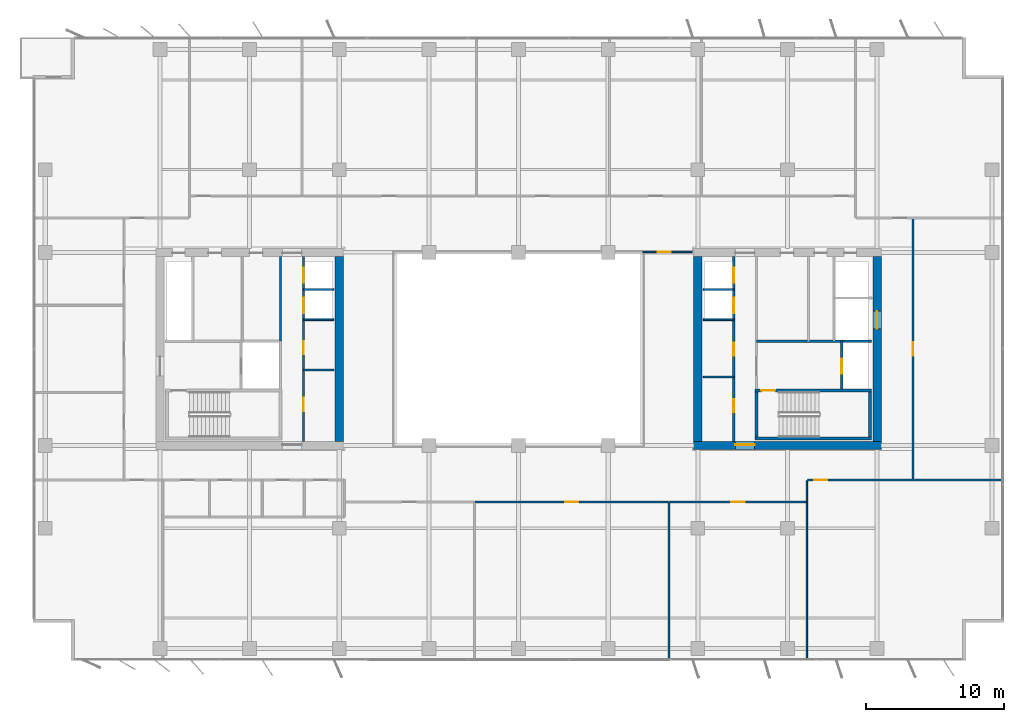
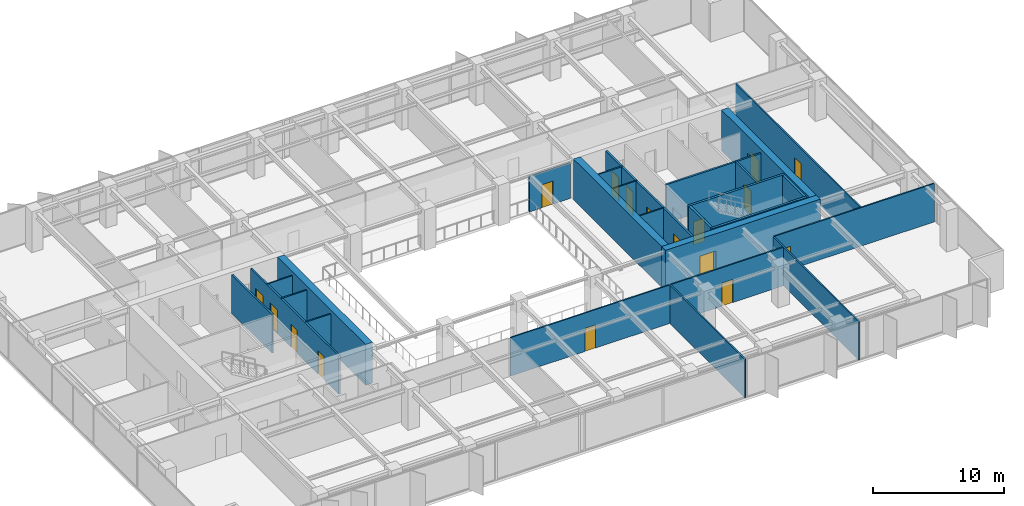
# One storey, part 16 of 22: 26 walls, 17 doors, 17 openings.
"""IFC4 building model written with IfcOpenShell, lengths in metres."""

from ifc_helpers import new_model, si_unit, direction, frame, frame_2d, origin, place, context, subcontext, project, spatial, rectangle, extrude, material, layer, layer_set, type_object, element, fill, save


model = new_model("IFC4")

# Units and contexts
model_context = context("Model", 3, precision=1e-05, world=origin(), true_north=direction((0.0, 1.0)))
body_context = subcontext(model_context, "Body", "Model", "MODEL_VIEW")
ifc_project = project(units=[si_unit("LENGTHUNIT", "METRE"), si_unit("AREAUNIT", "SQUARE_METRE"), si_unit("VOLUMEUNIT", "CUBIC_METRE"), si_unit("PLANEANGLEUNIT", "RADIAN"), si_unit("MASSUNIT", "GRAM", prefix="KILO")], contexts=[model_context])

# Site, building, storey
site_placement = place(None, origin())
site = spatial("IfcSite", under=ifc_project, at=site_placement, CompositionType="ELEMENT")
building_placement = place(site_placement, origin())
building = spatial("IfcBuilding", under=site, at=building_placement, Name="Putna Gate Headquarters", CompositionType="ELEMENT")
storey_placement = place(building_placement, frame((0.0, 0.0, 155.60009765625)))
storey = spatial("IfcBuildingStorey", under=building, at=storey_placement, Name="L38", CompositionType="ELEMENT", Elevation=155.60009765625)

# Wall
ifc_material_1 = material(Name="Concrete C50/60", Category="concrete")
ifc_layer_1 = layer(ifc_material_1, 0.60009765625)
ifc_layer_set_1 = layer_set([ifc_layer_1], Name="Concrete C50/60")
wall_type_1 = type_object("IfcWallType", Name="WALL-CORE-600", PredefinedType="SHEAR", material=ifc_layer_set_1)
wall_1_placement = place(storey_placement, frame((26.0, 19.300048828125, 0.0), z_axis=(0.0, 0.0, 1.0), x_axis=(0.0, 1.0, 0.0)))
element("IfcWall", 1, at=wall_1_placement, inside=storey, type_object=wall_type_1, Name="L38 WC Split Core Shear Wall E", PredefinedType="SHEAR", context=body_context, shape_type="SweptSolid", body=[
    extrude(rectangle(XDim=13.39990234375, YDim=0.60009765625, at=frame_2d((6.699951171875, 0.0))), origin(), (0.0, 0.0, 1.0), 3.7998046875),
])

# Wall, opening, door
wall_2_placement = place(storey_placement, frame((51.699951171875, 19.0, 0.0), z_axis=(0.0, 0.0, 1.0), x_axis=(1.0, 0.0, 0.0)))
wall_2 = element("IfcWall", 2, at=wall_2_placement, inside=storey, type_object=wall_type_1, Name="L38 EC Split Core Shear Wall S", PredefinedType="SHEAR", context=body_context, shape_type="SweptSolid", body=[
    extrude(rectangle(XDim=13.60009765625, YDim=0.60009765625, at=frame_2d((6.800048828125, 0.0))), origin(), (0.0, 0.0, 1.0), 3.7998046875),
])
opening_1_placement = place(wall_2_placement, frame((3.02001953125, 0.0, 0.0)))
opening_1 = element("IfcOpeningElement", 3, at=opening_1_placement, cuts=wall_2, Name="Opening FDD-140", PredefinedType="OPENING", context=body_context, shape_type="SweptSolid", body=[
    extrude(rectangle(XDim=1.39990234375, YDim=2.199951171875, at=frame_2d((0.699951171875, 1.10009765625))), frame((0.0, 0.31005859375, 0.0), z_axis=(0.0, -1.0, 0.0), x_axis=(1.0, 0.0, 0.0)), (0.0, 0.0, 1.0), 0.6201171875),
])
ifc_material_2 = material(Name="Double steel fire door", Category="steel")
door_type_1 = type_object("IfcDoorType", Name="DOOR-FIRE-DBL-1400", OperationType="DOUBLE_DOOR_SINGLE_SWING", PredefinedType="DOOR", material=ifc_material_2)
door_1_placement = place(opening_1_placement, origin())
door_1 = element("IfcDoor", 4, at=door_1_placement, inside=storey, type_object=door_type_1, Name="L38 East Lift Lobby South Door", OperationType="DOUBLE_DOOR_SINGLE_SWING", OverallHeight=2.199951171875, OverallWidth=1.39990234375, PredefinedType="DOOR", context=body_context, shape_type="SweptSolid", body=[
    extrude(rectangle(XDim=1.39990234375, YDim=2.199951171875, at=frame_2d((0.699951171875, 1.10009765625))), frame((0.0, 0.0751953125, 0.0), z_axis=(0.0, -1.0, 0.0), x_axis=(1.0, 0.0, 0.0)), (0.0, 0.0, 1.0), 0.050048828125),
])
fill(opening_1, door_1)

# Wall
wall_3_placement = place(storey_placement, frame((52.0, 19.300048828125, 0.0), z_axis=(0.0, 0.0, 1.0), x_axis=(0.0, 1.0, 0.0)))
element("IfcWall", 5, at=wall_3_placement, inside=storey, type_object=wall_type_1, Name="L38 EC Split Core Shear Wall W", PredefinedType="SHEAR", context=body_context, shape_type="SweptSolid", body=[
    extrude(rectangle(XDim=13.39990234375, YDim=0.60009765625, at=frame_2d((6.699951171875, 0.0))), origin(), (0.0, 0.0, 1.0), 3.7998046875),
])

# Wall, opening, door
wall_4_placement = place(storey_placement, frame((65.0, 19.300048828125, 0.0), z_axis=(0.0, 0.0, 1.0), x_axis=(0.0, 1.0, 0.0)))
wall_4 = element("IfcWall", 6, at=wall_4_placement, inside=storey, type_object=wall_type_1, Name="L38 EC Split Core Shear Wall E", PredefinedType="SHEAR", context=body_context, shape_type="SweptSolid", body=[
    extrude(rectangle(XDim=13.39990234375, YDim=0.60009765625, at=frame_2d((6.699951171875, 0.0))), origin(), (0.0, 0.0, 1.0), 3.7998046875),
])
opening_2_placement = place(wall_4_placement, frame((8.14990234375, 0.0, 0.0)))
opening_2 = element("IfcOpeningElement", 7, at=opening_2_placement, cuts=wall_4, Name="Opening LD-2", PredefinedType="OPENING", context=body_context, shape_type="SweptSolid", body=[
    extrude(rectangle(XDim=1.300048828125, YDim=2.199951171875, at=frame_2d((0.64990234375, 1.10009765625))), frame((0.0, 0.31005859375, 0.0), z_axis=(0.0, -1.0, 0.0), x_axis=(1.0, 0.0, 0.0)), (0.0, 0.0, 1.0), 0.6201171875),
])
ifc_material_3 = material(Name="Heavy-duty goods lift sliding landing door")
door_type_2 = type_object("IfcDoorType", Name="DOOR-LIFT-1300", OperationType="DOUBLE_DOOR_SLIDING", PredefinedType="DOOR", material=ifc_material_3)
door_2_placement = place(opening_2_placement, origin())
door_2 = element("IfcDoor", 8, at=door_2_placement, inside=storey, type_object=door_type_2, Name="L38 Goods Lift Landing Door LD-15", OperationType="DOUBLE_DOOR_SLIDING", OverallHeight=2.199951171875, OverallWidth=1.300048828125, PredefinedType="DOOR", context=body_context, shape_type="SweptSolid", body=[
    extrude(rectangle(XDim=1.300048828125, YDim=2.199951171875, at=frame_2d((0.64990234375, 1.10009765625))), frame((0.0, 0.02490234375, 0.0), z_axis=(0.0, -1.0, 0.0), x_axis=(1.0, 0.0, 0.0)), (0.0, 0.0, 1.0), 0.050048828125),
])
fill(opening_2, door_2)

ifc_material_4 = material(Name="Acoustic gypsum board on metal stud")
ifc_layer_2 = layer(ifc_material_4, 0.1201171875)
ifc_layer_set_2 = layer_set([ifc_layer_2], Name="Acoustic gypsum board on metal stud")
wall_type_2 = type_object("IfcWallType", Name="WALL-PART-120", PredefinedType="PARTITIONING", material=ifc_layer_set_2)
wall_5_placement = place(storey_placement, frame((48.0, 33.0400390625, 0.0), z_axis=(0.0, 0.0, 1.0), x_axis=(1.0, 0.0, 0.0)))
wall_5 = element("IfcWall", 9, at=wall_5_placement, inside=storey, type_object=wall_type_2, Name="L38 Interior Wall PART-L38-ATR-E-N", PredefinedType="PARTITIONING", context=body_context, shape_type="SweptSolid", body=[
    extrude(rectangle(XDim=3.60009765625, YDim=0.1201171875, at=frame_2d((1.800048828125, 0.0))), origin(), (0.0, 0.0, 1.0), 3.31201171875),
])
opening_3_placement = place(wall_5_placement, frame((1.10009765625, 0.0, 0.0)))
opening_3 = element("IfcOpeningElement", 10, at=opening_3_placement, cuts=wall_5, Name="Opening ID-95", PredefinedType="OPENING", context=body_context, shape_type="SweptSolid", body=[
    extrude(rectangle(XDim=0.949951171875, YDim=2.14990234375, at=frame_2d((0.47509765625, 1.074951171875))), frame((0.0, 0.070068359375, 0.0), z_axis=(0.0, -1.0, 0.0), x_axis=(1.0, 0.0, 0.0)), (0.0, 0.0, 1.0), 0.14013671875),
])
ifc_material_5 = material(Name="Veneered acoustic timber door", Category="wood")
door_type_3 = type_object("IfcDoorType", Name="DOOR-OFF-950", OperationType="NOTDEFINED", PredefinedType="DOOR", material=ifc_material_5)
door_3_placement = place(opening_3_placement, origin())
door_3 = element("IfcDoor", 11, at=door_3_placement, inside=storey, type_object=door_type_3, Name="L38 East Sky Atrium Lounge Door", OperationType="SINGLE_SWING_LEFT", OverallHeight=2.14990234375, OverallWidth=0.949951171875, PredefinedType="DOOR", context=body_context, shape_type="SweptSolid", body=[
    extrude(rectangle(XDim=0.949951171875, YDim=2.14990234375, at=frame_2d((0.47509765625, 1.074951171875))), frame((0.0, 0.02490234375, 0.0), z_axis=(0.0, -1.0, 0.0), x_axis=(1.0, 0.0, 0.0)), (0.0, 0.0, 1.0), 0.050048828125),
])
fill(opening_3, door_3)

# Walls
wall_6_placement = place(storey_placement, frame((49.912109375, 3.419921875, 0.0), z_axis=(0.0, 0.0, 1.0), x_axis=(0.0, 1.0, 0.0)))
element("IfcWall", 12, at=wall_6_placement, inside=storey, type_object=wall_type_2, Name="L38 Interior Wall PART-L38-SB-DIV-03", PredefinedType="PARTITIONING", context=body_context, shape_type="SweptSolid", body=[
    extrude(rectangle(XDim=11.420166015625, YDim=0.1201171875, at=frame_2d((5.7099609375, 0.0))), origin(), (0.0, 0.0, 1.0), 3.572021484375),
])
wall_7_placement = place(storey_placement, frame((59.907958984375, 3.419921875, 0.0), z_axis=(0.0, 0.0, 1.0), x_axis=(0.0, 1.0, 0.0)))
element("IfcWall", 13, at=wall_7_placement, inside=storey, type_object=wall_type_2, Name="L38 Interior Wall PART-L38-SB-DIV-04", PredefinedType="PARTITIONING", context=body_context, shape_type="SweptSolid", body=[
    extrude(rectangle(XDim=13.02001953125, YDim=0.1201171875, at=frame_2d((6.510009765625, 0.0))), origin(), (0.0, 0.0, 1.0), 3.572021484375),
])
ifc_material_6 = material(Name="Fire-rated shaftwall gypsum board on metal stud")
ifc_layer_3 = layer(ifc_material_6, 0.1201171875)
ifc_layer_set_3 = layer_set([ifc_layer_3], Name="Fire-rated shaftwall gypsum board on metal stud")
wall_type_3 = type_object("IfcWallType", Name="WALL-PART-120-EI120", PredefinedType="PARTITIONING", material=ifc_layer_set_3)
for number, where, z_axis, x_axis, name in (
    (14, (23.39990234375, 30.31005859375, 0.0), (0.0, 0.0, 1.0), (1.0, 0.0, 0.0), "L38 Interior Wall CWINT-L38-WC-LF09-DIV"),
    (15, (52.39990234375, 30.31005859375, 0.0), (0.0, 0.0, 1.0), (1.0, 0.0, 0.0), "L38 Interior Wall CWINT-L38-EC-LF11-DIV"),
):
    element("IfcWall", number, at=place(storey_placement, frame(where, z_axis=z_axis, x_axis=x_axis)), inside=storey, type_object=wall_type_3, Name=name, PredefinedType="PARTITIONING", context=body_context, shape_type="SweptSolid", body=[
        extrude(rectangle(XDim=2.2001953125, YDim=0.1201171875, at=frame_2d((1.10009765625, 0.0))), origin(), (0.0, 0.0, 1.0), 3.572021484375),
    ])
ifc_material_7 = material(Name="Fire-rated gypsum board on metal stud")
ifc_layer_4 = layer(ifc_material_7, 0.1201171875)
ifc_layer_set_4 = layer_set([ifc_layer_4], Name="Fire-rated gypsum board on metal stud")
wall_type_4 = type_object("IfcWallType", Name="WALL-PART-120-RATED", PredefinedType="PARTITIONING", material=ifc_layer_set_4)
for number, where, z_axis, x_axis, name in (
    (16, (23.39990234375, 24.469970703125, 0.0), (0.0, 0.0, 1.0), (1.0, 0.0, 0.0), "L38 Interior Wall CWINT-L38-WC-REUSE-DIV"),
    (17, (23.39990234375, 28.1201171875, 0.0), (0.0, 0.0, 1.0), (1.0, 0.0, 0.0), "L38 Interior Wall CWINT-L38-WC-LF06-DIV"),
    (18, (52.39990234375, 23.969970703125, 0.0), (0.0, 0.0, 1.0), (1.0, 0.0, 0.0), "L38 Interior Wall CWINT-L38-EC-REUSE-DIV"),
    (19, (52.39990234375, 28.1201171875, 0.0), (0.0, 0.0, 1.0), (1.0, 0.0, 0.0), "L38 Interior Wall CWINT-L38-EC-LF08-DIV"),
):
    element("IfcWall", number, at=place(storey_placement, frame(where, z_axis=z_axis, x_axis=x_axis)), inside=storey, type_object=wall_type_4, Name=name, PredefinedType="PARTITIONING", context=body_context, shape_type="SweptSolid", body=[
        extrude(rectangle(XDim=2.2001953125, YDim=0.1201171875, at=frame_2d((1.10009765625, 0.0))), origin(), (0.0, 0.0, 1.0), 3.572021484375),
    ])

# Wall, opening, door
wall_8_placement = place(storey_placement, frame((35.860107421875, 14.89990234375, 0.0), z_axis=(0.0, 0.0, 1.0), x_axis=(1.0, 0.0, 0.0)))
wall_8 = element("IfcWall", 20, at=wall_8_placement, inside=storey, type_object=wall_type_4, Name="L38 Interior Wall PART-L38-SB-CW-03", PredefinedType="PARTITIONING", context=body_context, shape_type="SweptSolid", body=[
    extrude(rectangle(XDim=13.991943359375, YDim=0.1201171875, at=frame_2d((6.99609375, 0.0))), origin(), (0.0, 0.0, 1.0), 3.572021484375),
])
opening_4_placement = place(wall_8_placement, frame((6.52099609375, 0.0, 0.0)))
opening_4 = element("IfcOpeningElement", 21, at=opening_4_placement, cuts=wall_8, Name="Opening FD-95", PredefinedType="OPENING", context=body_context, shape_type="SweptSolid", body=[
    extrude(rectangle(XDim=0.949951171875, YDim=2.14990234375, at=frame_2d((0.47509765625, 1.074951171875))), frame((0.0, 0.070068359375, 0.0), z_axis=(0.0, -1.0, 0.0), x_axis=(1.0, 0.0, 0.0)), (0.0, 0.0, 1.0), 0.14013671875),
])
ifc_material_8 = material(Name="Acoustic timber fire door", Category="wood")
door_type_4 = type_object("IfcDoorType", Name="DOOR-FIRE-950", OperationType="NOTDEFINED", PredefinedType="DOOR", material=ifc_material_8)
door_4_placement = place(opening_4_placement, origin())
door_4 = element("IfcDoor", 22, at=door_4_placement, inside=storey, type_object=door_type_4, Name="L38 Quiet Wellness Focus Studio 2 Door", OperationType="SINGLE_SWING_LEFT", OverallHeight=2.14990234375, OverallWidth=0.949951171875, PredefinedType="DOOR", context=body_context, shape_type="SweptSolid", body=[
    extrude(rectangle(XDim=0.949951171875, YDim=2.14990234375, at=frame_2d((0.47509765625, 1.074951171875))), frame((0.0, 0.02490234375, 0.0), z_axis=(0.0, -1.0, 0.0), x_axis=(1.0, 0.0, 0.0)), (0.0, 0.0, 1.0), 0.050048828125),
])
fill(opening_4, door_4)

wall_9_placement = place(storey_placement, frame((49.971923828125, 14.89990234375, 0.0), z_axis=(0.0, 0.0, 1.0), x_axis=(1.0, 0.0, 0.0)))
wall_9 = element("IfcWall", 23, at=wall_9_placement, inside=storey, type_object=wall_type_4, Name="L38 Interior Wall PART-L38-SB-CW-04", PredefinedType="PARTITIONING", context=body_context, shape_type="SweptSolid", body=[
    extrude(rectangle(XDim=9.8759765625, YDim=0.1201171875, at=frame_2d((4.93798828125, 0.0))), origin(), (0.0, 0.0, 1.0), 3.572021484375),
])
opening_5_placement = place(wall_9_placement, frame((4.462890625, 0.0, 0.0)))
opening_5 = element("IfcOpeningElement", 24, at=opening_5_placement, cuts=wall_9, Name="Opening FD-95", PredefinedType="OPENING", context=body_context, shape_type="SweptSolid", body=[
    extrude(rectangle(XDim=0.949951171875, YDim=2.14990234375, at=frame_2d((0.47509765625, 1.074951171875))), frame((0.0, 0.070068359375, 0.0), z_axis=(0.0, -1.0, 0.0), x_axis=(1.0, 0.0, 0.0)), (0.0, 0.0, 1.0), 0.14013671875),
])
door_5_placement = place(opening_5_placement, origin())
door_5 = element("IfcDoor", 25, at=door_5_placement, inside=storey, type_object=door_type_4, Name="L38 Quiet Wellness Focus Studio 3 Door", OperationType="SINGLE_SWING_RIGHT", OverallHeight=2.14990234375, OverallWidth=0.949951171875, PredefinedType="DOOR", context=body_context, shape_type="SweptSolid", body=[
    extrude(rectangle(XDim=0.949951171875, YDim=2.14990234375, at=frame_2d((0.47509765625, 1.074951171875))), frame((0.0, 0.02490234375, 0.0), z_axis=(0.0, -1.0, 0.0), x_axis=(1.0, 0.0, 0.0)), (0.0, 0.0, 1.0), 0.050048828125),
])
fill(opening_5, door_5)

wall_10_placement = place(storey_placement, frame((59.968017578125, 16.5, 0.0), z_axis=(0.0, 0.0, 1.0), x_axis=(1.0, 0.0, 0.0)))
wall_10 = element("IfcWall", 26, at=wall_10_placement, inside=storey, type_object=wall_type_4, Name="L38 Interior Wall PART-L38-SB-CW-05", PredefinedType="PARTITIONING", context=body_context, shape_type="SweptSolid", body=[
    extrude(rectangle(XDim=14.052001953125, YDim=0.1201171875, at=frame_2d((7.02587890625, 0.0))), origin(), (0.0, 0.0, 1.0), 3.572021484375),
])
opening_6_placement = place(wall_10_placement, frame((0.47998046875, 0.0, 0.0)))
opening_6 = element("IfcOpeningElement", 27, at=opening_6_placement, cuts=wall_10, Name="Opening FD-95", PredefinedType="OPENING", context=body_context, shape_type="SweptSolid", body=[
    extrude(rectangle(XDim=0.949951171875, YDim=2.14990234375, at=frame_2d((0.47509765625, 1.074951171875))), frame((0.0, 0.070068359375, 0.0), z_axis=(0.0, -1.0, 0.0), x_axis=(1.0, 0.0, 0.0)), (0.0, 0.0, 1.0), 0.14013671875),
])
door_6_placement = place(opening_6_placement, origin())
door_6 = element("IfcDoor", 28, at=door_6_placement, inside=storey, type_object=door_type_4, Name="L38 Conference Meeting Room 1 Door", OperationType="SINGLE_SWING_LEFT", OverallHeight=2.14990234375, OverallWidth=0.949951171875, PredefinedType="DOOR", context=body_context, shape_type="SweptSolid", body=[
    extrude(rectangle(XDim=0.949951171875, YDim=2.14990234375, at=frame_2d((0.47509765625, 1.074951171875))), frame((0.0, 0.02490234375, 0.0), z_axis=(0.0, -1.0, 0.0), x_axis=(1.0, 0.0, 0.0)), (0.0, 0.0, 1.0), 0.050048828125),
])
fill(opening_6, door_6)

wall_11_placement = place(storey_placement, frame((67.60009765625, 16.5, 0.0), z_axis=(0.0, 0.0, 1.0), x_axis=(0.0, 1.0, 0.0)))
wall_11 = element("IfcWall", 29, at=wall_11_placement, inside=storey, type_object=wall_type_4, Name="L38 Interior Wall PART-L38-EW-CW-1", PredefinedType="PARTITIONING", context=body_context, shape_type="SweptSolid", body=[
    extrude(rectangle(XDim=19.0, YDim=0.1201171875, at=frame_2d((9.5, 0.0))), origin(), (0.0, 0.0, 1.0), 3.572021484375),
])
opening_7_placement = place(wall_11_placement, frame((9.02490234375, 0.0, 0.0)))
opening_7 = element("IfcOpeningElement", 30, at=opening_7_placement, cuts=wall_11, Name="Opening FD-95", PredefinedType="OPENING", context=body_context, shape_type="SweptSolid", body=[
    extrude(rectangle(XDim=0.949951171875, YDim=2.14990234375, at=frame_2d((0.47509765625, 1.074951171875))), frame((0.0, 0.070068359375, 0.0), z_axis=(0.0, -1.0, 0.0), x_axis=(1.0, 0.0, 0.0)), (0.0, 0.0, 1.0), 0.14013671875),
])
door_7_placement = place(opening_7_placement, origin())
door_7 = element("IfcDoor", 31, at=door_7_placement, inside=storey, type_object=door_type_4, Name="L38 East Advisory Office 1 Door", OperationType="SINGLE_SWING_LEFT", OverallHeight=2.14990234375, OverallWidth=0.949951171875, PredefinedType="DOOR", context=body_context, shape_type="SweptSolid", body=[
    extrude(rectangle(XDim=0.949951171875, YDim=2.14990234375, at=frame_2d((0.47509765625, 1.074951171875))), frame((0.0, 0.02490234375, 0.0), z_axis=(0.0, -1.0, 0.0), x_axis=(1.0, 0.0, 0.0)), (0.0, 0.0, 1.0), 0.050048828125),
])
fill(opening_7, door_7)

# Wall
ifc_material_9 = material(Name="Concrete C40/50", Category="concrete")
ifc_layer_5 = layer(ifc_material_9, 0.159912109375)
ifc_layer_set_5 = layer_set([ifc_layer_5], Name="Concrete C40/50")
wall_type_5 = type_object("IfcWallType", Name="WALL-SHAFT-160", PredefinedType="STANDARD", material=ifc_layer_set_5)
wall_12_placement = place(storey_placement, frame((21.739990234375, 26.56005859375, 0.0), z_axis=(0.0, 0.0, 1.0), x_axis=(0.0, 1.0, 0.0)))
element("IfcWall", 32, at=wall_12_placement, inside=storey, type_object=wall_type_5, Name="L38 Interior Wall CWINT-L38-WC-LOB-W", PredefinedType="STANDARD", context=body_context, shape_type="SweptSolid", body=[
    extrude(rectangle(XDim=6.139892578125, YDim=0.159912109375, at=frame_2d((3.06982421875, 0.0))), origin(), (0.0, 0.0, 1.0), 3.572021484375),
])

# Wall, openings, doors
wall_13_placement = place(storey_placement, frame((23.39990234375, 19.300048828125, 0.0), z_axis=(0.0, 0.0, 1.0), x_axis=(0.0, 1.0, 0.0)))
wall_13 = element("IfcWall", 33, at=wall_13_placement, inside=storey, type_object=wall_type_5, Name="L38 Interior Wall CWINT-L38-WC-PL-WALL", PredefinedType="STANDARD", context=body_context, shape_type="SweptSolid", body=[
    extrude(rectangle(XDim=13.39990234375, YDim=0.159912109375, at=frame_2d((6.699951171875, 0.0))), origin(), (0.0, 0.0, 1.0), 3.572021484375),
])
opening_8_placement = place(wall_13_placement, frame((2.199951171875, 0.0, 0.0)))
opening_8 = element("IfcOpeningElement", 34, at=opening_8_placement, cuts=wall_13, Name="Opening IDS-95", PredefinedType="OPENING", context=body_context, shape_type="SweptSolid", body=[
    extrude(rectangle(XDim=0.949951171875, YDim=2.14990234375, at=frame_2d((0.47509765625, 1.074951171875))), frame((0.0, 0.08984375, 0.0), z_axis=(0.0, -1.0, 0.0), x_axis=(1.0, 0.0, 0.0)), (0.0, 0.0, 1.0), 0.179931640625),
])
opening_9_placement = place(wall_13_placement, frame((6.300048828125, 0.0, 0.0)))
opening_9 = element("IfcOpeningElement", 35, at=opening_9_placement, cuts=wall_13, Name="Opening IDS-95", PredefinedType="OPENING", context=body_context, shape_type="SweptSolid", body=[
    extrude(rectangle(XDim=0.949951171875, YDim=2.14990234375, at=frame_2d((0.47509765625, 1.074951171875))), frame((0.0, 0.08984375, 0.0), z_axis=(0.0, -1.0, 0.0), x_axis=(1.0, 0.0, 0.0)), (0.0, 0.0, 1.0), 0.179931640625),
])
opening_10_placement = place(wall_13_placement, frame((9.300048828125, 0.0, 0.0)))
opening_10 = element("IfcOpeningElement", 36, at=opening_10_placement, cuts=wall_13, Name="Opening LD-1", PredefinedType="OPENING", context=body_context, shape_type="SweptSolid", body=[
    extrude(rectangle(XDim=1.10009765625, YDim=2.199951171875, at=frame_2d((0.550048828125, 1.10009765625))), frame((0.0, 0.08984375, 0.0), z_axis=(0.0, -1.0, 0.0), x_axis=(1.0, 0.0, 0.0)), (0.0, 0.0, 1.0), 0.179931640625),
])
opening_11_placement = place(wall_13_placement, frame((11.5, 0.0, 0.0)))
opening_11 = element("IfcOpeningElement", 37, at=opening_11_placement, cuts=wall_13, Name="Opening LD-1", PredefinedType="OPENING", context=body_context, shape_type="SweptSolid", body=[
    extrude(rectangle(XDim=1.10009765625, YDim=2.199951171875, at=frame_2d((0.550048828125, 1.10009765625))), frame((0.0, 0.08984375, 0.0), z_axis=(0.0, -1.0, 0.0), x_axis=(1.0, 0.0, 0.0)), (0.0, 0.0, 1.0), 0.179931640625),
])
ifc_material_10 = material(Name="Fire-rated service timber door", Category="wood")
door_type_5 = type_object("IfcDoorType", Name="DOOR-INT-950", OperationType="NOTDEFINED", PredefinedType="DOOR", material=ifc_material_10)
door_8_placement = place(opening_8_placement, origin())
door_8 = element("IfcDoor", 38, at=door_8_placement, inside=storey, type_object=door_type_5, Name="L38 Tenant IT Hub Door", OperationType="SINGLE_SWING_LEFT", OverallHeight=2.14990234375, OverallWidth=0.949951171875, PredefinedType="DOOR", context=body_context, shape_type="SweptSolid", body=[
    extrude(rectangle(XDim=0.949951171875, YDim=2.14990234375, at=frame_2d((0.47509765625, 1.074951171875))), frame((0.0, 0.02490234375, 0.0), z_axis=(0.0, -1.0, 0.0), x_axis=(1.0, 0.0, 0.0)), (0.0, 0.0, 1.0), 0.050048828125),
])
fill(opening_8, door_8)
door_9_placement = place(opening_9_placement, origin())
door_9 = element("IfcDoor", 39, at=door_9_placement, inside=storey, type_object=door_type_5, Name="L38 Records Vault Door", OperationType="SINGLE_SWING_RIGHT", OverallHeight=2.14990234375, OverallWidth=0.949951171875, PredefinedType="DOOR", context=body_context, shape_type="SweptSolid", body=[
    extrude(rectangle(XDim=0.949951171875, YDim=2.14990234375, at=frame_2d((0.47509765625, 1.074951171875))), frame((0.0, 0.02490234375, 0.0), z_axis=(0.0, -1.0, 0.0), x_axis=(1.0, 0.0, 0.0)), (0.0, 0.0, 1.0), 0.050048828125),
])
fill(opening_9, door_9)
ifc_material_11 = material(Name="Brushed bronze stainless lift landing door")
door_type_6 = type_object("IfcDoorType", Name="DOOR-LIFT-1100", OperationType="DOUBLE_DOOR_SLIDING", PredefinedType="DOOR", material=ifc_material_11)
door_10_placement = place(opening_10_placement, origin())
door_10 = element("IfcDoor", 40, at=door_10_placement, inside=storey, type_object=door_type_6, Name="L38 Lift Landing Door LD-09", OperationType="DOUBLE_DOOR_SLIDING", OverallHeight=2.199951171875, OverallWidth=1.10009765625, PredefinedType="DOOR", context=body_context, shape_type="SweptSolid", body=[
    extrude(rectangle(XDim=1.10009765625, YDim=2.199951171875, at=frame_2d((0.550048828125, 1.10009765625))), frame((0.0, 0.02490234375, 0.0), z_axis=(0.0, -1.0, 0.0), x_axis=(1.0, 0.0, 0.0)), (0.0, 0.0, 1.0), 0.050048828125),
])
fill(opening_10, door_10)
door_11_placement = place(opening_11_placement, origin())
door_11 = element("IfcDoor", 41, at=door_11_placement, inside=storey, type_object=door_type_6, Name="L38 Lift Landing Door LD-10", OperationType="DOUBLE_DOOR_SLIDING", OverallHeight=2.199951171875, OverallWidth=1.10009765625, PredefinedType="DOOR", context=body_context, shape_type="SweptSolid", body=[
    extrude(rectangle(XDim=1.10009765625, YDim=2.199951171875, at=frame_2d((0.550048828125, 1.10009765625))), frame((0.0, 0.02490234375, 0.0), z_axis=(0.0, -1.0, 0.0), x_axis=(1.0, 0.0, 0.0)), (0.0, 0.0, 1.0), 0.050048828125),
])
fill(opening_11, door_11)

wall_14_placement = place(storey_placement, frame((54.60009765625, 19.300048828125, 0.0), z_axis=(0.0, 0.0, 1.0), x_axis=(0.0, 1.0, 0.0)))
wall_14 = element("IfcWall", 42, at=wall_14_placement, inside=storey, type_object=wall_type_5, Name="L38 Interior Wall CWINT-L38-EC-PL-WALL", PredefinedType="STANDARD", context=body_context, shape_type="SweptSolid", body=[
    extrude(rectangle(XDim=13.39990234375, YDim=0.159912109375, at=frame_2d((6.699951171875, 0.0))), origin(), (0.0, 0.0, 1.0), 3.572021484375),
])
opening_12_placement = place(wall_14_placement, frame((2.10009765625, 0.0, 0.0)))
opening_12 = element("IfcOpeningElement", 43, at=opening_12_placement, cuts=wall_14, Name="Opening IDS-95", PredefinedType="OPENING", context=body_context, shape_type="SweptSolid", body=[
    extrude(rectangle(XDim=0.949951171875, YDim=2.14990234375, at=frame_2d((0.47509765625, 1.074951171875))), frame((0.0, 0.08984375, 0.0), z_axis=(0.0, -1.0, 0.0), x_axis=(1.0, 0.0, 0.0)), (0.0, 0.0, 1.0), 0.179931640625),
])
opening_13_placement = place(wall_14_placement, frame((6.199951171875, 0.0, 0.0)))
opening_13 = element("IfcOpeningElement", 44, at=opening_13_placement, cuts=wall_14, Name="Opening IDS-95", PredefinedType="OPENING", context=body_context, shape_type="SweptSolid", body=[
    extrude(rectangle(XDim=0.949951171875, YDim=2.14990234375, at=frame_2d((0.47509765625, 1.074951171875))), frame((0.0, 0.08984375, 0.0), z_axis=(0.0, -1.0, 0.0), x_axis=(1.0, 0.0, 0.0)), (0.0, 0.0, 1.0), 0.179931640625),
])
opening_14_placement = place(wall_14_placement, frame((9.300048828125, 0.0, 0.0)))
opening_14 = element("IfcOpeningElement", 45, at=opening_14_placement, cuts=wall_14, Name="Opening LD-1", PredefinedType="OPENING", context=body_context, shape_type="SweptSolid", body=[
    extrude(rectangle(XDim=1.10009765625, YDim=2.199951171875, at=frame_2d((0.550048828125, 1.10009765625))), frame((0.0, 0.08984375, 0.0), z_axis=(0.0, -1.0, 0.0), x_axis=(1.0, 0.0, 0.0)), (0.0, 0.0, 1.0), 0.179931640625),
])
opening_15_placement = place(wall_14_placement, frame((11.5, 0.0, 0.0)))
opening_15 = element("IfcOpeningElement", 46, at=opening_15_placement, cuts=wall_14, Name="Opening LD-1", PredefinedType="OPENING", context=body_context, shape_type="SweptSolid", body=[
    extrude(rectangle(XDim=1.10009765625, YDim=2.199951171875, at=frame_2d((0.550048828125, 1.10009765625))), frame((0.0, 0.08984375, 0.0), z_axis=(0.0, -1.0, 0.0), x_axis=(1.0, 0.0, 0.0)), (0.0, 0.0, 1.0), 0.179931640625),
])
door_12_placement = place(opening_12_placement, origin())
door_12 = element("IfcDoor", 47, at=door_12_placement, inside=storey, type_object=door_type_5, Name="L38 Executive Archive Door", OperationType="SINGLE_SWING_RIGHT", OverallHeight=2.14990234375, OverallWidth=0.949951171875, PredefinedType="DOOR", context=body_context, shape_type="SweptSolid", body=[
    extrude(rectangle(XDim=0.949951171875, YDim=2.14990234375, at=frame_2d((0.47509765625, 1.074951171875))), frame((0.0, 0.02490234375, 0.0), z_axis=(0.0, -1.0, 0.0), x_axis=(1.0, 0.0, 0.0)), (0.0, 0.0, 1.0), 0.050048828125),
])
fill(opening_12, door_12)
door_13_placement = place(opening_13_placement, origin())
door_13 = element("IfcDoor", 48, at=door_13_placement, inside=storey, type_object=door_type_5, Name="L38 Comms Distribution Door", OperationType="SINGLE_SWING_LEFT", OverallHeight=2.14990234375, OverallWidth=0.949951171875, PredefinedType="DOOR", context=body_context, shape_type="SweptSolid", body=[
    extrude(rectangle(XDim=0.949951171875, YDim=2.14990234375, at=frame_2d((0.47509765625, 1.074951171875))), frame((0.0, 0.02490234375, 0.0), z_axis=(0.0, -1.0, 0.0), x_axis=(1.0, 0.0, 0.0)), (0.0, 0.0, 1.0), 0.050048828125),
])
fill(opening_13, door_13)
door_14_placement = place(opening_14_placement, origin())
door_14 = element("IfcDoor", 49, at=door_14_placement, inside=storey, type_object=door_type_6, Name="L38 Lift Landing Door LD-11", OperationType="DOUBLE_DOOR_SLIDING", OverallHeight=2.199951171875, OverallWidth=1.10009765625, PredefinedType="DOOR", context=body_context, shape_type="SweptSolid", body=[
    extrude(rectangle(XDim=1.10009765625, YDim=2.199951171875, at=frame_2d((0.550048828125, 1.10009765625))), frame((0.0, 0.02490234375, 0.0), z_axis=(0.0, -1.0, 0.0), x_axis=(1.0, 0.0, 0.0)), (0.0, 0.0, 1.0), 0.050048828125),
])
fill(opening_14, door_14)
door_15_placement = place(opening_15_placement, origin())
door_15 = element("IfcDoor", 50, at=door_15_placement, inside=storey, type_object=door_type_6, Name="L38 Lift Landing Door LD-12", OperationType="DOUBLE_DOOR_SLIDING", OverallHeight=2.199951171875, OverallWidth=1.10009765625, PredefinedType="DOOR", context=body_context, shape_type="SweptSolid", body=[
    extrude(rectangle(XDim=1.10009765625, YDim=2.199951171875, at=frame_2d((0.550048828125, 1.10009765625))), frame((0.0, 0.02490234375, 0.0), z_axis=(0.0, -1.0, 0.0), x_axis=(1.0, 0.0, 0.0)), (0.0, 0.0, 1.0), 0.050048828125),
])
fill(opening_15, door_15)

# Wall, opening, door
wall_15_placement = place(storey_placement, frame((62.429931640625, 23.090087890625, 0.0), z_axis=(0.0, 0.0, 1.0), x_axis=(0.0, 1.0, 0.0)))
wall_15 = element("IfcWall", 51, at=wall_15_placement, inside=storey, type_object=wall_type_5, Name="L38 Interior Wall CWINT-L38-EC-LF14-W", PredefinedType="STANDARD", context=body_context, shape_type="SweptSolid", body=[
    extrude(rectangle(XDim=3.469970703125, YDim=0.159912109375, at=frame_2d((1.73486328125, 0.0))), origin(), (0.0, 0.0, 1.0), 3.572021484375),
])
opening_16_placement = place(wall_15_placement, frame((1.10009765625, 0.0, 0.0)))
opening_16 = element("IfcOpeningElement", 52, at=opening_16_placement, cuts=wall_15, Name="Opening LD-1", PredefinedType="OPENING", context=body_context, shape_type="SweptSolid", body=[
    extrude(rectangle(XDim=1.10009765625, YDim=2.199951171875, at=frame_2d((0.550048828125, 1.10009765625))), frame((0.0, 0.08984375, 0.0), z_axis=(0.0, -1.0, 0.0), x_axis=(1.0, 0.0, 0.0)), (0.0, 0.0, 1.0), 0.179931640625),
])
door_16_placement = place(opening_16_placement, origin())
door_16 = element("IfcDoor", 53, at=door_16_placement, inside=storey, type_object=door_type_6, Name="L38 Lift Landing Door LD-14", OperationType="DOUBLE_DOOR_SLIDING", OverallHeight=2.199951171875, OverallWidth=1.10009765625, PredefinedType="DOOR", context=body_context, shape_type="SweptSolid", body=[
    extrude(rectangle(XDim=1.10009765625, YDim=2.199951171875, at=frame_2d((0.550048828125, 1.10009765625))), frame((0.0, 0.02490234375, 0.0), z_axis=(0.0, -1.0, 0.0), x_axis=(1.0, 0.0, 0.0)), (0.0, 0.0, 1.0), 0.050048828125),
])
fill(opening_16, door_16)

# Walls
wall_16_placement = place(storey_placement, frame((56.260009765625, 26.56005859375, 0.0), z_axis=(0.0, 0.0, 1.0), x_axis=(1.0, 0.0, 0.0)))
element("IfcWall", 54, at=wall_16_placement, inside=storey, type_object=wall_type_5, Name="L38 Interior Wall CWINT-L38-EC-FFL-N", PredefinedType="STANDARD", context=body_context, shape_type="SweptSolid", body=[
    extrude(rectangle(XDim=8.340087890625, YDim=0.159912109375, at=frame_2d((4.169921875, 0.0))), origin(), (0.0, 0.0, 1.0), 3.572021484375),
])
ifc_layer_6 = layer(ifc_material_9, 0.199951171875)
ifc_layer_set_6 = layer_set([ifc_layer_6], Name="Concrete C40/50")
wall_type_6 = type_object("IfcWallType", Name="WALL-SHAFT-RC200", PredefinedType="SHEAR", material=ifc_layer_set_6)
wall_17_placement = place(storey_placement, frame((56.159912109375, 19.510009765625, 0.0), z_axis=(0.0, 0.0, 1.0), x_axis=(1.0, 0.0, 0.0)))
element("IfcWall", 55, at=wall_17_placement, inside=storey, type_object=wall_type_6, Name="L38 Stair ST2 Structural Shaft Wall S", PredefinedType="SHEAR", context=body_context, shape_type="SweptSolid", body=[
    extrude(rectangle(XDim=8.43017578125, YDim=0.199951171875, at=frame_2d((4.215087890625, 0.0))), origin(), (0.0, 0.0, 1.0), 3.7998046875),
])

# Wall, opening, door
wall_18_placement = place(storey_placement, frame((56.159912109375, 22.989990234375, 0.0), z_axis=(0.0, 0.0, 1.0), x_axis=(1.0, 0.0, 0.0)))
wall_18 = element("IfcWall", 56, at=wall_18_placement, inside=storey, type_object=wall_type_6, Name="L38 Stair ST2 Structural Shaft Wall N", PredefinedType="SHEAR", context=body_context, shape_type="SweptSolid", body=[
    extrude(rectangle(XDim=8.43017578125, YDim=0.199951171875, at=frame_2d((4.215087890625, 0.0))), origin(), (0.0, 0.0, 1.0), 3.7998046875),
])
opening_17_placement = place(wall_18_placement, frame((0.449951171875, 0.0, 0.0)))
opening_17 = element("IfcOpeningElement", 57, at=opening_17_placement, cuts=wall_18, Name="Opening FD-100", PredefinedType="OPENING", context=body_context, shape_type="SweptSolid", body=[
    extrude(rectangle(XDim=1.0, YDim=2.14990234375, at=frame_2d((0.5, 1.074951171875))), frame((0.0, 0.10986328125, 0.0), z_axis=(0.0, -1.0, 0.0), x_axis=(1.0, 0.0, 0.0)), (0.0, 0.0, 1.0), 0.219970703125),
])
ifc_material_12 = material(Name="Powder-coated steel fire door", Category="steel")
door_type_7 = type_object("IfcDoorType", Name="DOOR-FIRE-1000", OperationType="NOTDEFINED", PredefinedType="DOOR", material=ifc_material_12)
door_17_placement = place(opening_17_placement, origin())
door_17 = element("IfcDoor", 58, at=door_17_placement, inside=storey, type_object=door_type_7, Name="L38 Stair ST2 Fire Door", OperationType="SINGLE_SWING_RIGHT", OverallHeight=2.14990234375, OverallWidth=1.0, PredefinedType="DOOR", context=body_context, shape_type="SweptSolid", body=[
    extrude(rectangle(XDim=1.0, YDim=2.14990234375, at=frame_2d((0.5, 1.074951171875))), frame((0.0, 0.02490234375, 0.0), z_axis=(0.0, -1.0, 0.0), x_axis=(1.0, 0.0, 0.0)), (0.0, 0.0, 1.0), 0.050048828125),
])
fill(opening_17, door_17)

# Walls
for number, where, z_axis, x_axis, name in (
    (59, (56.260009765625, 19.610107421875, 0.0), (0.0, 0.0, 1.0), (0.0, 1.0, 0.0), "L38 Stair ST2 Structural Shaft Wall W"),
    (60, (64.489990234375, 19.610107421875, 0.0), (0.0, 0.0, 1.0), (0.0, 1.0, 0.0), "L38 Stair ST2 Structural Shaft Wall E"),
):
    element("IfcWall", number, at=place(storey_placement, frame(where, z_axis=z_axis, x_axis=x_axis)), inside=storey, type_object=wall_type_6, Name=name, PredefinedType="SHEAR", context=body_context, shape_type="SweptSolid", body=[
        extrude(rectangle(XDim=3.27978515625, YDim=0.199951171875, at=frame_2d((1.639892578125, 0.0))), origin(), (0.0, 0.0, 1.0), 3.7998046875),
    ])

save(model, "model.ifc")
